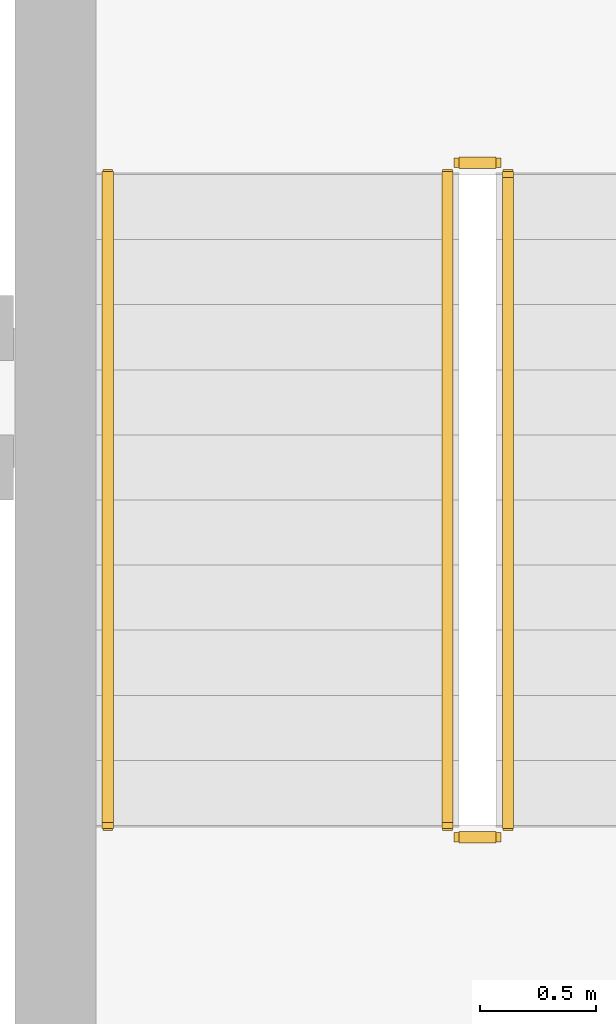
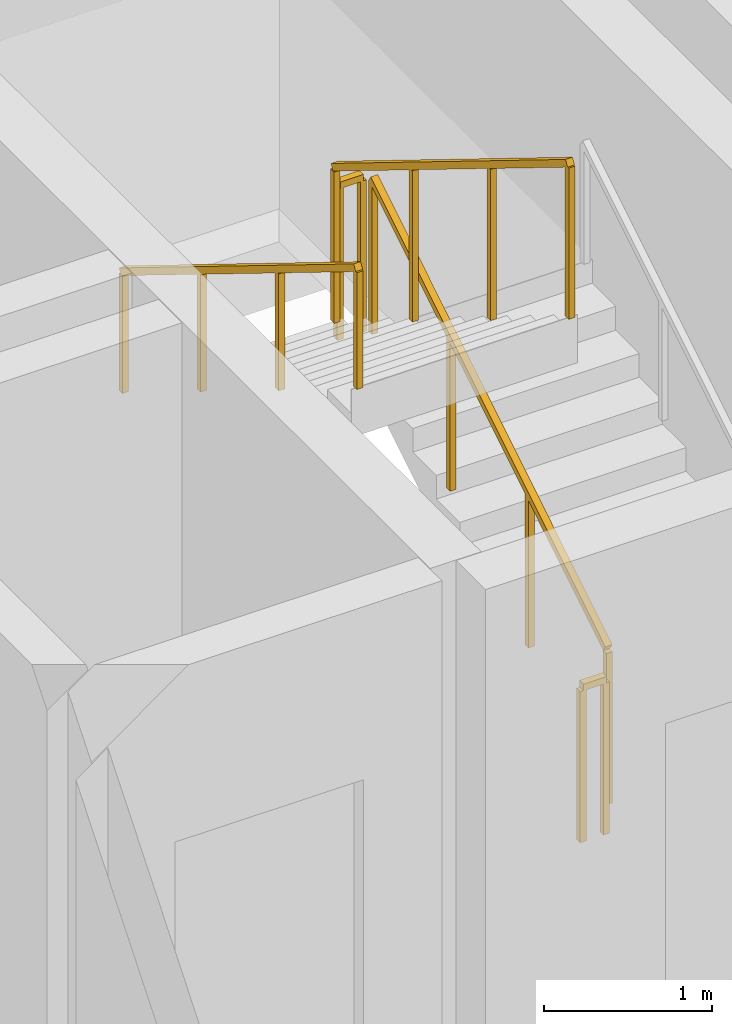
# One storey, part 13 of 14: 5 railings.
"""IFC4 building model written with IfcOpenShell, lengths in metres."""

from ifc_helpers import new_model, si_unit, direction, frame, origin, origin_2d, place, context, subcontext, project, spatial, rectangle, extrude, material, type_object, element, save


model = new_model("IFC4")

# Units and contexts
model_context = context("Model", 3, precision=1e-05, world=origin(), true_north=direction((0.0, 1.0)))
body_context = subcontext(model_context, "Body", "Model", "MODEL_VIEW")
ifc_project = project(units=[si_unit("LENGTHUNIT", "METRE"), si_unit("AREAUNIT", "SQUARE_METRE"), si_unit("VOLUMEUNIT", "CUBIC_METRE"), si_unit("PLANEANGLEUNIT", "RADIAN"), si_unit("MASSUNIT", "GRAM", prefix="KILO")], contexts=[model_context])

# Site, building, storey
site_placement = place(None, origin())
site = spatial("IfcSite", under=ifc_project, at=site_placement, CompositionType="ELEMENT")
building_placement = place(site_placement, origin())
building = spatial("IfcBuilding", under=site, at=building_placement, Name="Kaelvorn Grand Hotel", CompositionType="ELEMENT")
storey_placement = place(building_placement, frame((0.0, 0.0, 161.949951171875)))
storey = spatial("IfcBuildingStorey", under=building, at=storey_placement, Name="L39", CompositionType="ELEMENT", Elevation=161.949951171875)

# Railings
ifc_material = material(Name="Stainless Steel", Category="steel")
railing_type_1 = type_object("IfcRailingType", Name="RL-HANDRAIL-900", PredefinedType="HANDRAIL", material=ifc_material)
railing_1_placement = place(storey_placement, frame((63.3701171875, 44.56005859375, 2.07275390625)))
element("IfcRailing", 1, at=railing_1_placement, inside=storey, type_object=railing_type_1, Name="L39 ST3 stair handrail 2", PredefinedType="HANDRAIL", context=body_context, shape_type="SweptSolid", body=[
    extrude(rectangle(XDim=0.048095703125, YDim=0.048095703125, at=origin_2d()), frame((0.0, 0.0, 0.8759765625), z_axis=(0.0, -0.851089632645, 0.525020415988), x_axis=(1.0, 0.0, 0.0)), (0.0, 0.0, 1.0), 3.2900390625),
    extrude(rectangle(XDim=0.0419921875, YDim=0.0419921875, at=origin_2d()), origin(), (0.0, 0.0, 1.0), 0.851806640625),
    extrude(rectangle(XDim=0.0419921875, YDim=0.0419921875, at=origin_2d()), frame((0.0, -0.933349609375, 0.57568359375)), (0.0, 0.0, 1.0), 0.851806640625),
    extrude(rectangle(XDim=0.0419921875, YDim=0.0419921875, at=origin_2d()), frame((0.0, -1.86669921875, 1.151611328125)), (0.0, 0.0, 1.0), 0.851806640625),
    extrude(rectangle(XDim=0.0419921875, YDim=0.0419921875, at=origin_2d()), frame((0.0, -2.800048828125, 1.727294921875)), (0.0, 0.0, 1.0), 0.851806640625),
])
railing_type_2 = type_object("IfcRailingType", Name="RL-STAIR-GUARD-1150", PredefinedType="BALUSTRADE", material=ifc_material)
railing_2_placement = place(storey_placement, frame((65.090087890625, 41.760009765625, 0.1728515625)))
element("IfcRailing", 2, at=railing_2_placement, inside=storey, type_object=railing_type_2, Name="L39 ST3 stair guard 1", PredefinedType="BALUSTRADE", context=body_context, shape_type="SweptSolid", body=[
    extrude(rectangle(XDim=0.048095703125, YDim=0.048095703125, at=origin_2d()), frame((0.0, 0.0, 1.1259765625), z_axis=(0.0, 0.851089632645, 0.525020415988), x_axis=(-1.0, 0.0, 0.0)), (0.0, 0.0, 1.0), 3.2900390625),
    extrude(rectangle(XDim=0.0419921875, YDim=0.0419921875, at=origin_2d()), origin(), (0.0, 0.0, 1.0), 1.101806640625),
    extrude(rectangle(XDim=0.0419921875, YDim=0.0419921875, at=origin_2d()), frame((0.0, 0.933349609375, 0.57568359375)), (0.0, 0.0, 1.0), 1.101806640625),
    extrude(rectangle(XDim=0.0419921875, YDim=0.0419921875, at=origin_2d()), frame((0.0, 1.86669921875, 1.151611328125)), (0.0, 0.0, 1.0), 1.101806640625),
    extrude(rectangle(XDim=0.0419921875, YDim=0.0419921875, at=origin_2d()), frame((0.0, 2.800048828125, 1.727294921875)), (0.0, 0.0, 1.0), 1.101806640625),
])
railing_3_placement = place(storey_placement, frame((65.0400390625, 44.610107421875, 1.900146484375)))
element("IfcRailing", 3, at=railing_3_placement, inside=storey, type_object=railing_type_2, Name="L39 ST3 stair guard 2", PredefinedType="BALUSTRADE", context=body_context, shape_type="SweptSolid", body=[
    extrude(rectangle(XDim=0.048095703125, YDim=0.048095703125, at=origin_2d()), frame((0.0, 0.0, 1.1259765625), z_axis=(-1.0, 0.0, 0.0), x_axis=(0.0, -1.0, 0.0)), (0.0, 0.0, 1.0), 0.16015625),
    extrude(rectangle(XDim=0.0419921875, YDim=0.0419921875, at=origin_2d()), origin(), (0.0, 0.0, 1.0), 1.101806640625),
    extrude(rectangle(XDim=0.0419921875, YDim=0.0419921875, at=origin_2d()), frame((-0.16015625, 0.0, 0.0)), (0.0, 0.0, 1.0), 1.101806640625),
])
railing_4_placement = place(storey_placement, frame((64.830078125, 44.56005859375, 2.07275390625)))
element("IfcRailing", 4, at=railing_4_placement, inside=storey, type_object=railing_type_2, Name="L39 ST3 stair guard 3", PredefinedType="BALUSTRADE", context=body_context, shape_type="SweptSolid", body=[
    extrude(rectangle(XDim=0.048095703125, YDim=0.048095703125, at=origin_2d()), frame((0.0, 0.0, 1.1259765625), z_axis=(0.0, -0.851089632645, 0.525020415988), x_axis=(1.0, 0.0, 0.0)), (0.0, 0.0, 1.0), 3.2900390625),
    extrude(rectangle(XDim=0.0419921875, YDim=0.0419921875, at=origin_2d()), origin(), (0.0, 0.0, 1.0), 1.101806640625),
    extrude(rectangle(XDim=0.0419921875, YDim=0.0419921875, at=origin_2d()), frame((0.0, -0.933349609375, 0.57568359375)), (0.0, 0.0, 1.0), 1.101806640625),
    extrude(rectangle(XDim=0.0419921875, YDim=0.0419921875, at=origin_2d()), frame((0.0, -1.86669921875, 1.151611328125)), (0.0, 0.0, 1.0), 1.101806640625),
    extrude(rectangle(XDim=0.0419921875, YDim=0.0419921875, at=origin_2d()), frame((0.0, -2.800048828125, 1.727294921875)), (0.0, 0.0, 1.0), 1.101806640625),
])
railing_5_placement = place(storey_placement, frame((65.0400390625, 41.7099609375, 0.0)))
element("IfcRailing", 5, at=railing_5_placement, inside=storey, type_object=railing_type_2, Name="L39 ST3 stair guard 4", PredefinedType="BALUSTRADE", context=body_context, shape_type="SweptSolid", body=[
    extrude(rectangle(XDim=0.048095703125, YDim=0.048095703125, at=origin_2d()), frame((0.0, 0.0, 1.1259765625), z_axis=(-1.0, 0.0, 0.0), x_axis=(0.0, -1.0, 0.0)), (0.0, 0.0, 1.0), 0.16015625),
    extrude(rectangle(XDim=0.0419921875, YDim=0.0419921875, at=origin_2d()), origin(), (0.0, 0.0, 1.0), 1.101806640625),
    extrude(rectangle(XDim=0.0419921875, YDim=0.0419921875, at=origin_2d()), frame((-0.16015625, 0.0, 0.0)), (0.0, 0.0, 1.0), 1.101806640625),
])

save(model, "model.ifc")
